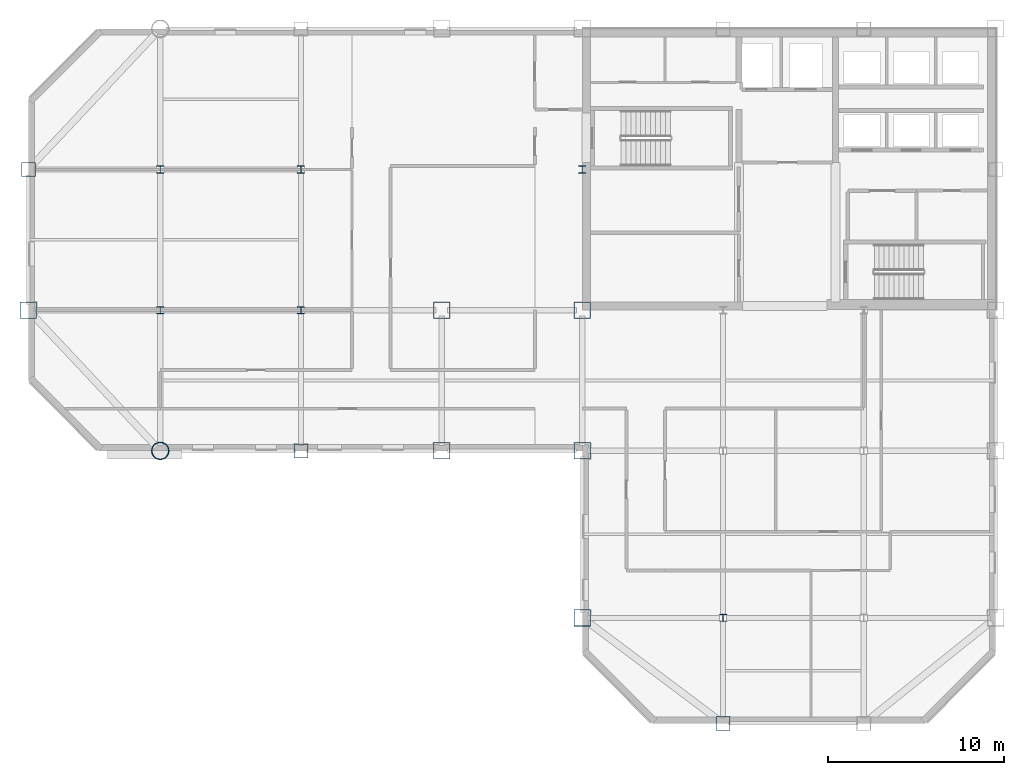
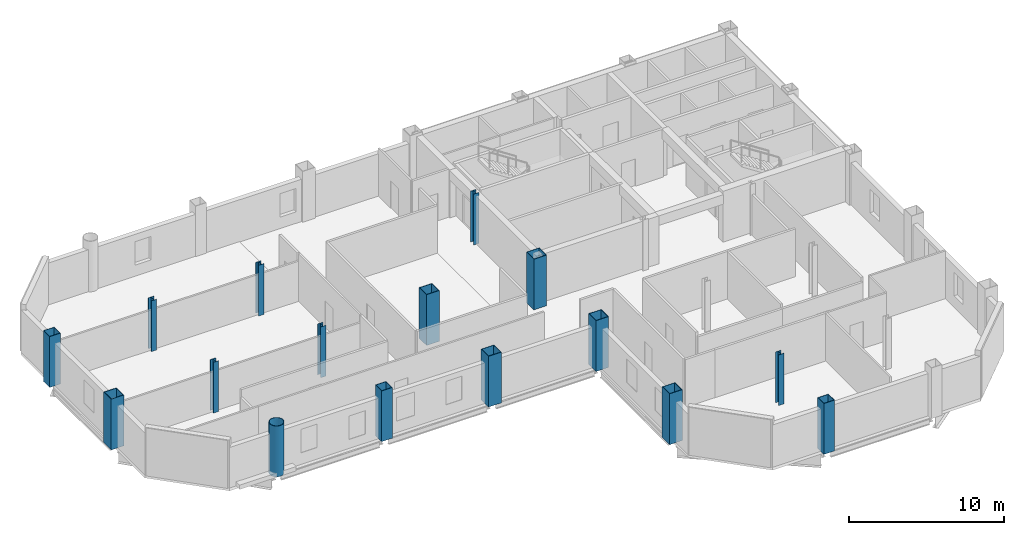
# One storey, part 1 of 10: 16 columns.
"""IFC4 building model written with IfcOpenShell, lengths in metres."""

import ifcopenshell
import ifcopenshell.guid

model = None  # the IFC model being written
_history = None  # IfcOwnerHistory: only IFC2X3 demands one
_inside = {}  # id of a spatial element -> (the spatial element, [elements in it])
_under = {}  # id of a project, library or spatial element -> (it, [spatial elements below it])
_declared = {}  # id of a project -> (the project, [libraries it declares])
_typed = {}  # id of a type object -> (the type object, [elements of that type])
_made_of = {}  # id of a material, layer set ... -> (it, [elements and type objects made of it])


def new_model(schema):
    """Start an empty IFC model of exactly this schema.

    Asked for "IFC4X3", IfcOpenShell would pick the latest addendum, in which some entities
    have other attributes; the version numbers below select the first issue.
    IFC2X3 requires an IfcOwnerHistory on every rooted entity: one is made here for all.
    """
    global model, _history
    if schema == "IFC4X3":
        model = ifcopenshell.file(schema_version=(4, 3, 0, 0))
    else:
        model = ifcopenshell.file(schema=schema)
    _inside.clear()
    _under.clear()
    _declared.clear()
    _typed.clear()
    _made_of.clear()
    _history = None
    if model.schema == "IFC2X3":
        org = make("IfcOrganization", Name="unknown")
        user = make(
            "IfcPersonAndOrganization",
            ThePerson=make("IfcPerson", FamilyName="unknown"),
            TheOrganization=org,
        )
        app = make(
            "IfcApplication",
            ApplicationDeveloper=org,
            Version="unknown",
            ApplicationFullName="unknown",
            ApplicationIdentifier="unknown",
        )
        _history = make(
            "IfcOwnerHistory",
            OwningUser=user,
            OwningApplication=app,
            ChangeAction="ADDED",
            CreationDate=0,
        )
    return model


def make(cls, **values):
    """One entity of the class cls with the attributes given. An attribute that is None is left unset."""
    return model.create_entity(
        cls, **{name: value for name, value in values.items() if value is not None}
    )


def rooted(cls, **values):
    """An entity with a GlobalId (a new one), such as an element, a storey or a relation."""
    return make(cls, GlobalId=ifcopenshell.guid.new(), OwnerHistory=_history, **values)


def si_unit(unit_type, name, prefix=None):
    """IfcSIUnit, for example si_unit("LENGTHUNIT", "METRE", prefix="MILLI")."""
    return make("IfcSIUnit", UnitType=unit_type, Prefix=prefix, Name=name)


def assignment(units):
    """IfcUnitAssignment: the units of a project."""
    return None if units is None else make("IfcUnitAssignment", Units=units)


def point(xyz):
    """IfcCartesianPoint."""
    return None if xyz is None else make("IfcCartesianPoint", Coordinates=xyz)


def direction(xyz):
    """IfcDirection."""
    return None if xyz is None else make("IfcDirection", DirectionRatios=xyz)


def frame(location, z_axis=None, x_axis=None):
    """IfcAxis2Placement3D, a coordinate frame: its origin and axes. An axis left out is left unset."""
    return make(
        "IfcAxis2Placement3D",
        Location=point(location),
        Axis=direction(z_axis),
        RefDirection=direction(x_axis),
    )


def frame_2d(location, x_axis=None):
    """IfcAxis2Placement2D, a coordinate frame in the plane: its origin and x axis."""
    return make(
        "IfcAxis2Placement2D", Location=point(location), RefDirection=direction(x_axis)
    )


def origin():
    """The frame at (0, 0, 0) with its axes left unset."""
    return frame((0.0, 0.0, 0.0))


def origin_2d():
    """The frame at (0, 0) in the plane with its x axis left unset."""
    return frame_2d((0.0, 0.0))


def place(relative_to, where):
    """IfcLocalPlacement: puts the frame where relative to a parent placement (None: the world)."""
    return make(
        "IfcLocalPlacement", PlacementRelTo=relative_to, RelativePlacement=where
    )


def context(
    kind, dimensions, precision=None, world=None, true_north=None, identifier=None
):
    """IfcGeometricRepresentationContext, for example the 3D "Model" context."""
    return make(
        "IfcGeometricRepresentationContext",
        ContextIdentifier=identifier,
        ContextType=kind,
        CoordinateSpaceDimension=dimensions,
        Precision=precision,
        WorldCoordinateSystem=world,
        TrueNorth=true_north,
    )


def subcontext(parent, identifier, kind, view, scale=None):
    """IfcGeometricRepresentationSubContext, for example "Body" below "Model"."""
    return make(
        "IfcGeometricRepresentationSubContext",
        ContextIdentifier=identifier,
        ContextType=kind,
        ParentContext=parent,
        TargetScale=scale,
        TargetView=view,
    )


def project(units=None, contexts=None):
    """IfcProject with its units and contexts."""
    return rooted(
        "IfcProject",
        Name="project",
        RepresentationContexts=contexts,
        UnitsInContext=assignment(units),
    )


def spatial(cls, under=None, at=None, **own):
    """A site, building, storey or space (cls), placed at a placement, below another one or the project."""
    s = rooted(cls, ObjectPlacement=at, **own)
    if under is not None:
        _under.setdefault(under.id(), (under, []))[1].append(s)
    return s


def profile(cls, at=None, kind="AREA", **sizes):
    """A parametric profile (cls). Its sizes go by their IFC names, for example OverallWidth=200.0."""
    return make(cls, ProfileType=kind, Position=at, **sizes)


def hollow_rectangle(**sizes):
    """IfcRectangleHollowProfileDef."""
    return profile("IfcRectangleHollowProfileDef", **sizes)


def hollow_circle(**sizes):
    """IfcCircleHollowProfileDef."""
    return profile("IfcCircleHollowProfileDef", **sizes)


def i_section(**sizes):
    """IfcIShapeProfileDef."""
    return profile("IfcIShapeProfileDef", **sizes)


def extrude(swept, where, along, depth):
    """IfcExtrudedAreaSolid: the profile swept, set in the frame where, extruded along a direction by depth."""
    return make(
        "IfcExtrudedAreaSolid",
        SweptArea=swept,
        Position=where,
        ExtrudedDirection=direction(along),
        Depth=depth,
    )


def shape(context_of_items, identifier, shape_type, items):
    """IfcShapeRepresentation: the items that make up one representation, for example the "Body"."""
    return make(
        "IfcShapeRepresentation",
        ContextOfItems=context_of_items,
        RepresentationIdentifier=identifier,
        RepresentationType=shape_type,
        Items=items,
    )


def material(Name=None, Category=None):
    """IfcMaterial."""
    return make("IfcMaterial", Name=Name, Category=Category)


def material_profile(
    of_material, cross_section, Name=None, Category=None, Priority=None
):
    """IfcMaterialProfile: a cross section and its material."""
    return make(
        "IfcMaterialProfile",
        Name=Name,
        Material=of_material,
        Profile=cross_section,
        Priority=Priority,
        Category=Category,
    )


def profile_set(profiles, Name=None, composite=None):
    """IfcMaterialProfileSet."""
    return make(
        "IfcMaterialProfileSet",
        Name=Name,
        MaterialProfiles=profiles,
        CompositeProfile=composite,
    )


def made_of(thing, what):
    """Note that an element or type object is made of a material, layer set ...; save() writes the relation."""
    if what is not None:
        _made_of.setdefault(what.id(), (what, []))[1].append(thing)
    return thing


def type_object(cls, material=None, **own):
    """A type object (cls), such as IfcWallType, which elements share."""
    return made_of(rooted(cls, **own), material)


def element(
    cls,
    number,
    at=None,
    inside=None,
    cuts=None,
    type_object=None,
    material=None,
    context=None,
    identifier="Body",
    shape_type=None,
    held_by="IfcProductDefinitionShape",
    body=None,
    shapes=None,
    **own,
):
    """One element of the class cls, such as IfcWall. Its Tag is "e" and its number.

    at: its placement. inside: the storey or other place that contains it. cuts: it is an
    opening in that element (IfcRelVoidsElement). A single representation is given by context,
    identifier, shape_type and body (its items); several are given by shapes. held_by: the class
    of the entity that holds the representations. save() writes the other relations.
    """
    e = rooted(cls, Tag="e%d" % number, ObjectPlacement=at, **own)
    if body is not None:
        shapes = [shape(context, identifier, shape_type, body)]
    if shapes is not None:
        e.Representation = make(held_by, Representations=shapes)
    if inside is not None:
        _inside.setdefault(inside.id(), (inside, []))[1].append(e)
    if cuts is not None:
        rooted(
            "IfcRelVoidsElement", RelatingBuildingElement=cuts, RelatedOpeningElement=e
        )
    if type_object is not None:
        _typed.setdefault(type_object.id(), (type_object, []))[1].append(e)
    return made_of(e, material)


def aggregate(whole, parts):
    """IfcRelAggregates: a whole, such as a stair, and the parts it consists of."""
    return rooted("IfcRelAggregates", RelatingObject=whole, RelatedObjects=parts)


def save(model, path):
    """Write the relations noted so far, then the file.

    IfcRelAggregates (storeys below a building ...), IfcRelContainedInSpatialStructure (elements
    in a storey), IfcRelDefinesByType, IfcRelAssociatesMaterial and IfcRelDeclares: one each for
    every whole, place, type object, material and project.
    """
    for whole, parts in _under.values():
        aggregate(whole, parts)
    for where, things in _inside.values():
        rooted(
            "IfcRelContainedInSpatialStructure",
            RelatedElements=things,
            RelatingStructure=where,
        )
    for kind, things in _typed.values():
        rooted("IfcRelDefinesByType", RelatedObjects=things, RelatingType=kind)
    for what, things in _made_of.values():
        rooted("IfcRelAssociatesMaterial", RelatedObjects=things, RelatingMaterial=what)
    for by, libraries in _declared.values():
        rooted("IfcRelDeclares", RelatingContext=by, RelatedDefinitions=libraries)
    model.write(path)


model = new_model("IFC4")

# Units and contexts
model_context = context("Model", 3, precision=1e-05, world=origin(), true_north=direction((0.0, 1.0)))
body_context = subcontext(model_context, "Body", "Model", "MODEL_VIEW")
ifc_project = project(units=[si_unit("LENGTHUNIT", "METRE"), si_unit("AREAUNIT", "SQUARE_METRE"), si_unit("VOLUMEUNIT", "CUBIC_METRE"), si_unit("PLANEANGLEUNIT", "RADIAN"), si_unit("MASSUNIT", "GRAM", prefix="KILO")], contexts=[model_context])

# Site, building, storey
site_placement = place(None, origin())
site = spatial("IfcSite", under=ifc_project, at=site_placement, CompositionType="ELEMENT")
building_placement = place(site_placement, origin())
building = spatial("IfcBuilding", under=site, at=building_placement, Name="Qianrong Seaharbour Tower", CompositionType="ELEMENT")
storey_placement = place(building_placement, frame((0.0, 0.0, 249.800048828125)))
storey = spatial("IfcBuildingStorey", under=building, at=storey_placement, Name="L60", CompositionType="ELEMENT", Elevation=249.800048828125)

# Columns
ifc_material = material(Name="Structural steel SN490B", Category="steel")
ifc_material_profile_1 = material_profile(ifc_material, hollow_rectangle(XDim=0.949951171875, YDim=0.949951171875, WallThickness=0.035888671875, at=origin_2d()), Name="BOX950x950x36")
ifc_profile_set_1 = profile_set([ifc_material_profile_1], Name="Structural steel SN490B")
column_type_1 = type_object("IfcColumnType", Name="COL-CFT-950", PredefinedType="COLUMN", material=ifc_profile_set_1)
for number, where, z_axis, x_axis, name in (
    (1, (9.0, 36.0, 0.0), (0.0, 0.0, 1.0), (1.0, 0.0, 0.0), "L60 Column MC-4 at G2/GF"),
    (2, (32.5, 28.0, 0.0), (0.0, 0.0, 1.0), (1.0, 0.0, 0.0), "L60 Column MC-4 at G5/GE"),
    (3, (32.5, 36.0, 0.0), (0.0, 0.0, 1.0), (1.0, 0.0, 0.0), "L60 Column MC-4 at G5/GF"),
    (4, (40.5, 18.5, 0.0), (0.0, 0.0, 1.0), (1.0, 0.0, 0.0), "L60 Column MC-4 at G6/GD"),
    (5, (40.5, 28.0, 0.0), (0.0, 0.0, 1.0), (1.0, 0.0, 0.0), "L60 Column MC-4 at G6/GE"),
    (6, (40.5, 36.0, 0.0), (0.0, 0.0, 1.0), (1.0, 0.0, 0.0), "L60 Column MC-4 at G6/GF"),
):
    element("IfcColumn", number, at=place(storey_placement, frame(where, z_axis=z_axis, x_axis=x_axis)), inside=storey, type_object=column_type_1, Name=name, PredefinedType="COLUMN", context=body_context, shape_type="SweptSolid", body=[
        extrude(hollow_rectangle(XDim=0.949951171875, YDim=0.949951171875, WallThickness=0.035888671875, at=origin_2d()), origin(), (0.0, 0.0, 1.0), 4.0),
    ])
ifc_material_profile_2 = material_profile(ifc_material, hollow_circle(Radius=0.5, WallThickness=0.035888671875, at=origin_2d()), Name="CHS1000x36")
ifc_profile_set_2 = profile_set([ifc_material_profile_2], Name="Structural steel SN490B")
column_type_2 = type_object("IfcColumnType", Name="COL-CHS-1000", PredefinedType="COLUMN", material=ifc_profile_set_2)
column_placement = place(storey_placement, frame((16.5, 28.0, 0.0), z_axis=(0.0, 0.0, 1.0), x_axis=(1.0, 0.0, 0.0)))
element("IfcColumn", 7, at=column_placement, inside=storey, type_object=column_type_2, Name="L60 Column CC-2 at G3/GE", PredefinedType="COLUMN", context=body_context, shape_type="SweptSolid", body=[
    extrude(hollow_circle(Radius=0.5, WallThickness=0.035888671875, at=origin_2d()), origin(), (0.0, 0.0, 1.0), 4.0),
])
ifc_material_profile_3 = material_profile(ifc_material, i_section(OverallWidth=0.39990234375, OverallDepth=0.39990234375, WebThickness=0.012939453125, FlangeThickness=0.02099609375, FilletRadius=0.02197265625, at=origin_2d()), Name="H400x400x13x21")
ifc_profile_set_3 = profile_set([ifc_material_profile_3], Name="Structural steel SN490B")
column_type_3 = type_object("IfcColumnType", Name="COL-INT-H400", PredefinedType="COLUMN", material=ifc_profile_set_3)
for number, where, z_axis, x_axis, name in (
    (8, (16.5, 36.0, 0.0), (0.0, 0.0, 1.0), (1.0, 0.0, 0.0), "L60 Column IC-3 at G3/GF"),
    (9, (16.5, 44.0, 0.0), (0.0, 0.0, 1.0), (1.0, 0.0, 0.0), "L60 Column IC-3 at G3/GG"),
    (10, (24.5, 36.0, 0.0), (0.0, 0.0, 1.0), (1.0, 0.0, 0.0), "L60 Column IC-3 at G4/GF"),
    (11, (24.5, 44.0, 0.0), (0.0, 0.0, 1.0), (1.0, 0.0, 0.0), "L60 Column IC-3 at G4/GG"),
    (12, (40.5, 44.0, 0.0), (0.0, 0.0, 1.0), (1.0, 0.0, 0.0), "L60 Column IC-3 at G6/GG"),
    (13, (48.5, 18.5, 0.0), (0.0, 0.0, 1.0), (1.0, 0.0, 0.0), "L60 Column IC-3 at G7/GD"),
):
    element("IfcColumn", number, at=place(storey_placement, frame(where, z_axis=z_axis, x_axis=x_axis)), inside=storey, type_object=column_type_3, Name=name, PredefinedType="COLUMN", context=body_context, shape_type="SweptSolid", body=[
        extrude(i_section(OverallWidth=0.39990234375, OverallDepth=0.39990234375, WebThickness=0.012939453125, FlangeThickness=0.02099609375, FilletRadius=0.02197265625, at=origin_2d()), origin(), (0.0, 0.0, 1.0), 4.0),
    ])
ifc_material_profile_4 = material_profile(ifc_material, hollow_rectangle(XDim=0.800048828125, YDim=0.800048828125, WallThickness=0.031982421875, at=origin_2d()), Name="BOX800x800x32")
ifc_profile_set_4 = profile_set([ifc_material_profile_4], Name="Structural steel SN490B")
column_type_4 = type_object("IfcColumnType", Name="COL-PER-800", PredefinedType="COLUMN", material=ifc_profile_set_4)
for number, where, z_axis, x_axis, name in (
    (14, (9.0, 44.0, 0.0), (0.0, 0.0, 1.0), (1.0, 0.0, 0.0), "L60 Column PC-3 at G2/GG"),
    (15, (24.5, 28.0, 0.0), (0.0, 0.0, 1.0), (1.0, 0.0, 0.0), "L60 Column PC-3 at G4/GE"),
    (16, (48.5, 12.5, 0.0), (0.0, 0.0, 1.0), (1.0, 0.0, 0.0), "L60 Column PC-3 at G7/GC"),
):
    element("IfcColumn", number, at=place(storey_placement, frame(where, z_axis=z_axis, x_axis=x_axis)), inside=storey, type_object=column_type_4, Name=name, PredefinedType="COLUMN", context=body_context, shape_type="SweptSolid", body=[
        extrude(hollow_rectangle(XDim=0.800048828125, YDim=0.800048828125, WallThickness=0.031982421875, at=origin_2d()), origin(), (0.0, 0.0, 1.0), 4.0),
    ])

save(model, "model.ifc")
